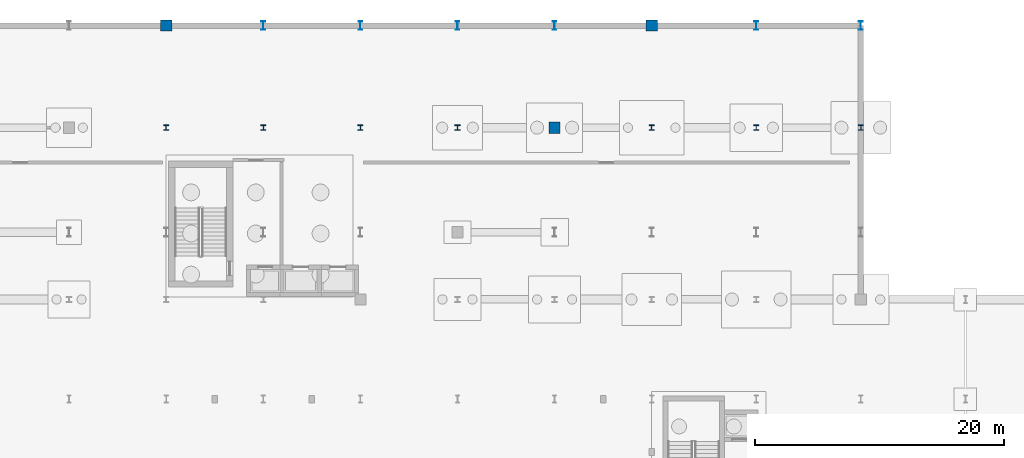
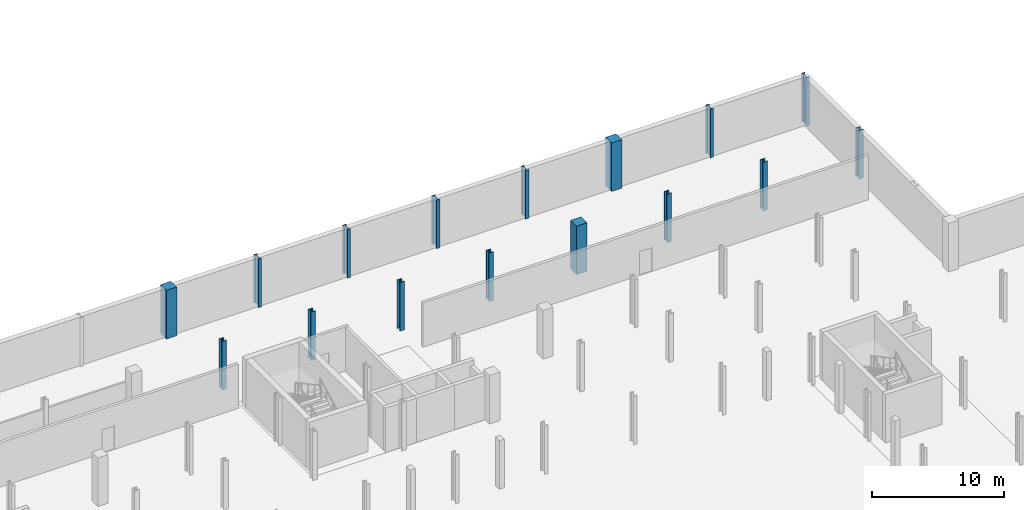
# One storey, part 16 of 45: 16 columns.
"""IFC4 building model written with IfcOpenShell, lengths in metres."""

from ifc_helpers import new_model, si_unit, direction, frame, origin, origin_2d, place, context, subcontext, project, spatial, rectangle, i_section, extrude, material, material_profile, profile_set, type_object, element, save


model = new_model("IFC4")

# Units and contexts
model_context = context("Model", 3, precision=1e-05, world=origin(), true_north=direction((0.0, 1.0)))
body_context = subcontext(model_context, "Body", "Model", "MODEL_VIEW")
ifc_project = project(units=[si_unit("LENGTHUNIT", "METRE"), si_unit("AREAUNIT", "SQUARE_METRE"), si_unit("VOLUMEUNIT", "CUBIC_METRE"), si_unit("PLANEANGLEUNIT", "RADIAN"), si_unit("MASSUNIT", "GRAM", prefix="KILO")], contexts=[model_context])

# Site, building, storey
site_placement = place(None, origin())
site = spatial("IfcSite", under=ifc_project, at=site_placement, CompositionType="ELEMENT")
building_placement = place(site_placement, origin())
building = spatial("IfcBuilding", under=site, at=building_placement, Name="Sefraquen Railside Congress Hotel", CompositionType="ELEMENT")
storey_placement = place(building_placement, frame((0.0, 0.0, -4.5)))
storey = spatial("IfcBuildingStorey", under=building, at=storey_placement, Name="B01", CompositionType="ELEMENT", Elevation=-4.5)

# Columns
ifc_material_1 = material(Name="Steel S355J2", Category="steel")
ifc_material_profile_1 = material_profile(ifc_material_1, i_section(OverallWidth=0.416015625, OverallDepth=0.446044921875, WebThickness=0.035888671875, FlangeThickness=0.048095703125, FilletRadius=0.014892578125, at=origin_2d()), Name="HD 400x509")
ifc_profile_set_1 = profile_set([ifc_material_profile_1], Name="Steel S355J2")
column_type_1 = type_object("IfcColumnType", Name="TC-HD-509", PredefinedType="COLUMN", material=ifc_profile_set_1)
for number, where, z_axis, x_axis, name in (
    (1, (64.199951171875, 109.800048828125, 0.0), (0.0, 0.0, 1.0), (1.0, 0.0, 0.0), "Structural column 9-P B01"),
    (2, (72.0, 109.800048828125, 0.0), (0.0, 0.0, 1.0), (1.0, 0.0, 0.0), "Structural column 10-P B01"),
    (3, (79.800048828125, 109.800048828125, 0.0), (0.0, 0.0, 1.0), (1.0, 0.0, 0.0), "Structural column 11-P B01"),
    (4, (87.60009765625, 109.800048828125, 0.0), (0.0, 0.0, 1.0), (1.0, 0.0, 0.0), "Structural column 12-P B01"),
    (5, (103.199951171875, 109.800048828125, 0.0), (0.0, 0.0, 1.0), (1.0, 0.0, 0.0), "Structural column 14-P B01"),
    (6, (111.60009765625, 109.800048828125, 0.0), (0.0, 0.0, 1.0), (1.0, 0.0, 0.0), "Structural column 15-P B01"),
    (7, (120.0, 109.800048828125, 0.0), (0.0, 0.0, 1.0), (1.0, 0.0, 0.0), "Structural column 16-P B01"),
):
    element("IfcColumn", number, at=place(storey_placement, frame(where, z_axis=z_axis, x_axis=x_axis)), inside=storey, type_object=column_type_1, Name=name, PredefinedType="COLUMN", context=body_context, shape_type="SweptSolid", body=[
        extrude(i_section(OverallWidth=0.416015625, OverallDepth=0.446044921875, WebThickness=0.035888671875, FlangeThickness=0.048095703125, FilletRadius=0.014892578125, at=origin_2d()), origin(), (0.0, 0.0, 1.0), 4.5),
    ])
ifc_material_2 = material(Name="Steel S355JR", Category="steel")
ifc_material_profile_2 = material_profile(ifc_material_2, i_section(OverallWidth=0.300048828125, OverallDepth=0.699951171875, WebThickness=0.01708984375, FlangeThickness=0.031982421875, FilletRadius=0.027099609375, at=origin_2d()), Name="HEB 700")
ifc_profile_set_2 = profile_set([ifc_material_profile_2], Name="Steel S355JR")
column_type_2 = type_object("IfcColumnType", Name="TC-HEB-700", PredefinedType="COLUMN", material=ifc_profile_set_2)
for number, where, z_axis, x_axis, name in (
    (8, (72.0, 118.0, 0.0), (0.0, 0.0, 1.0), (1.0, 0.0, 0.0), "Structural column 10-Q B01"),
    (9, (79.800048828125, 118.0, 0.0), (0.0, 0.0, 1.0), (1.0, 0.0, 0.0), "Structural column 11-Q B01"),
    (10, (87.60009765625, 118.0, 0.0), (0.0, 0.0, 1.0), (1.0, 0.0, 0.0), "Structural column 12-Q B01"),
    (11, (95.39990234375, 118.0, 0.0), (0.0, 0.0, 1.0), (1.0, 0.0, 0.0), "Structural column 13-Q B01"),
    (12, (111.60009765625, 118.0, 0.0), (0.0, 0.0, 1.0), (1.0, 0.0, 0.0), "Structural column 15-Q B01"),
    (13, (120.0, 118.0, 0.0), (0.0, 0.0, 1.0), (1.0, 0.0, 0.0), "Structural column 16-Q B01"),
):
    element("IfcColumn", number, at=place(storey_placement, frame(where, z_axis=z_axis, x_axis=x_axis)), inside=storey, type_object=column_type_2, Name=name, PredefinedType="COLUMN", context=body_context, shape_type="SweptSolid", body=[
        extrude(i_section(OverallWidth=0.300048828125, OverallDepth=0.699951171875, WebThickness=0.01708984375, FlangeThickness=0.031982421875, FilletRadius=0.027099609375, at=origin_2d()), origin(), (0.0, 0.0, 1.0), 4.5),
    ])
ifc_material_3 = material(Name="Concrete C50/60", Category="concrete")
ifc_material_profile_3 = material_profile(ifc_material_3, rectangle(XDim=0.89990234375, YDim=0.89990234375, at=origin_2d()), Name="RC 900x900")
ifc_profile_set_3 = profile_set([ifc_material_profile_3], Name="Concrete C50/60")
column_type_3 = type_object("IfcColumnType", Name="TC-RC-900", PredefinedType="COLUMN", material=ifc_profile_set_3)
for number, where, z_axis, x_axis, name in (
    (14, (64.199951171875, 118.0, 0.0), (0.0, 0.0, 1.0), (1.0, 0.0, 0.0), "Structural column 9-Q B01"),
    (15, (95.39990234375, 109.800048828125, 0.0), (0.0, 0.0, 1.0), (1.0, 0.0, 0.0), "Structural column 13-P B01"),
    (16, (103.199951171875, 118.0, 0.0), (0.0, 0.0, 1.0), (1.0, 0.0, 0.0), "Structural column 14-Q B01"),
):
    element("IfcColumn", number, at=place(storey_placement, frame(where, z_axis=z_axis, x_axis=x_axis)), inside=storey, type_object=column_type_3, Name=name, PredefinedType="COLUMN", context=body_context, shape_type="SweptSolid", body=[
        extrude(rectangle(XDim=0.89990234375, YDim=0.89990234375, at=origin_2d()), origin(), (0.0, 0.0, 1.0), 4.5),
    ])

save(model, "model.ifc")
